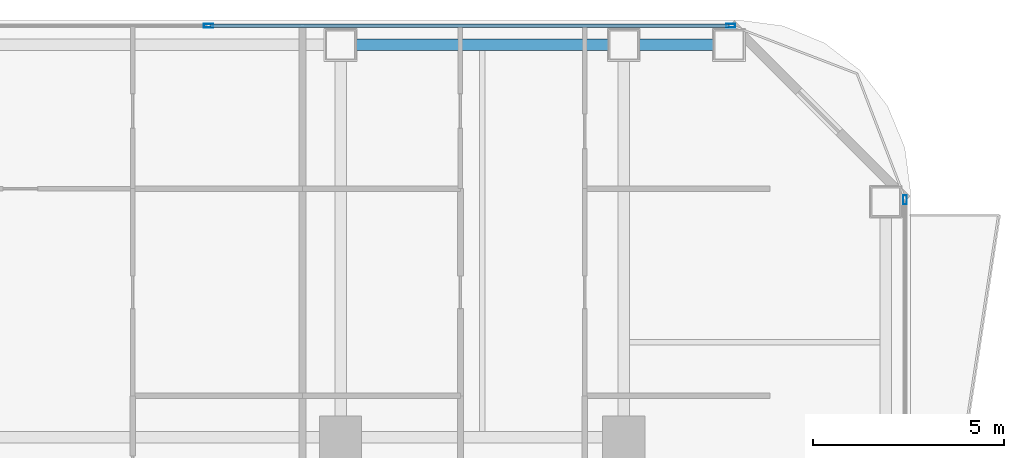
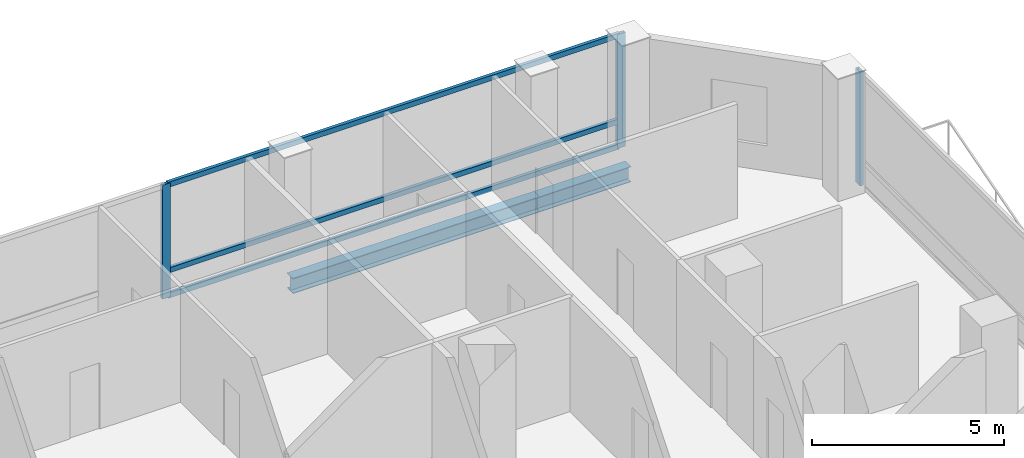
# One storey, part 17 of 28: 6 members, 2 beams, 2 elements without a shape of their own.
"""IFC4 building model written with IfcOpenShell, lengths in metres."""

from ifc_helpers import new_model, si_unit, direction, frame, origin, origin_2d, place, context, subcontext, project, spatial, hollow_rectangle, i_section, extrude, material, layer, layer_set, material_profile, profile_set, type_object, element, aggregate, save


model = new_model("IFC4")

# Units and contexts
model_context = context("Model", 3, precision=1e-05, world=origin(), true_north=direction((0.0, 1.0)))
body_context = subcontext(model_context, "Body", "Model", "MODEL_VIEW")
ifc_project = project(units=[si_unit("LENGTHUNIT", "METRE"), si_unit("AREAUNIT", "SQUARE_METRE"), si_unit("VOLUMEUNIT", "CUBIC_METRE"), si_unit("PLANEANGLEUNIT", "RADIAN"), si_unit("MASSUNIT", "GRAM", prefix="KILO")], contexts=[model_context])

# Site, building, storey
site_placement = place(None, origin())
site = spatial("IfcSite", under=ifc_project, at=site_placement, CompositionType="ELEMENT")
building_placement = place(site_placement, origin())
building = spatial("IfcBuilding", under=site, at=building_placement, Name="Khorvyn Point Tower", CompositionType="ELEMENT")
storey_placement = place(building_placement, frame((0.0, 0.0, 104.699951171875)))
storey = spatial("IfcBuildingStorey", under=building, at=storey_placement, Name="L26", CompositionType="ELEMENT", Elevation=104.699951171875)

# Curtain wall, members
ifc_material_1 = material(Name="Anodised aluminium 6063-T6 and laminated Low-E glass", Category="aluminium")
ifc_layer = layer(ifc_material_1, 0.18994140625)
ifc_layer_set = layer_set([ifc_layer], Name="Stick-Built Finned Residential Curtain Wall CW-SYS-02")
curtain_wall_type = type_object("IfcCurtainWallType", Name="Stick-Built Finned Residential Curtain Wall CW-SYS-02", PredefinedType="NOTDEFINED", material=ifc_layer_set)
curtain_wall_1_placement = place(storey_placement, origin())
curtain_wall_1 = element("IfcCurtainWall", 1, at=curtain_wall_1_placement, inside=storey, type_object=curtain_wall_type, Name="Curtain Wall", PredefinedType="NOTDEFINED")
ifc_material_2 = material(Name="Anodised aluminium 6063-T6", Category="aluminium")
ifc_material_profile_1 = material_profile(ifc_material_2, hollow_rectangle(XDim=0.10009765625, YDim=0.239990234375, WallThickness=0.0048828125, at=origin_2d()))
ifc_profile_set_1 = profile_set([ifc_material_profile_1], Name="Anodised aluminium 6063-T6 ALU-MUL-100x240")
member_type_1 = type_object("IfcMemberType", Name="Anodised Aluminium 6063-T6 Mullion ALU-MUL-100x240", PredefinedType="MULLION", material=ifc_profile_set_1)
member_1_placement = place(storey_placement, frame((3.949951171875, 30.85009765625, 0.0), z_axis=(0.0, 0.0, 1.0), x_axis=(0.0, 1.0, 0.0)))
member_1 = element("IfcMember", 2, at=member_1_placement, type_object=member_type_1, Name="Transom", PredefinedType="MULLION", context=body_context, shape_type="SweptSolid", body=[
    extrude(hollow_rectangle(XDim=0.10009765625, YDim=0.239990234375, WallThickness=0.0048828125, at=origin_2d()), origin(), (0.0, 0.0, 1.0), 3.6201171875),
])
member_2_placement = place(storey_placement, frame((17.60009765625, 30.85009765625, 0.0), z_axis=(0.0, 0.0, 1.0), x_axis=(0.0, 1.0, 0.0)))
member_2 = element("IfcMember", 3, at=member_2_placement, type_object=member_type_1, Name="Transom", PredefinedType="MULLION", context=body_context, shape_type="SweptSolid", body=[
    extrude(hollow_rectangle(XDim=0.10009765625, YDim=0.239990234375, WallThickness=0.0048828125, at=origin_2d()), origin(), (0.0, 0.0, 1.0), 3.6201171875),
])

# Curtain wall, member
curtain_wall_2_placement = place(storey_placement, origin())
curtain_wall_2 = element("IfcCurtainWall", 4, at=curtain_wall_2_placement, inside=storey, type_object=curtain_wall_type, Name="Curtain Wall", PredefinedType="NOTDEFINED")
member_3_placement = place(storey_placement, frame((22.14990234375, 26.300048828125, 0.0), z_axis=(0.0, 0.0, 1.0), x_axis=(1.0, 0.0, 0.0)))
member_3 = element("IfcMember", 5, at=member_3_placement, type_object=member_type_1, Name="Transom", PredefinedType="MULLION", context=body_context, shape_type="SweptSolid", body=[
    extrude(hollow_rectangle(XDim=0.10009765625, YDim=0.239990234375, WallThickness=0.0048828125, at=origin_2d()), origin(), (0.0, 0.0, 1.0), 3.6201171875),
])
aggregate(curtain_wall_2, [member_3])

# Member
ifc_material_profile_2 = material_profile(ifc_material_2, hollow_rectangle(XDim=0.10009765625, YDim=0.159912109375, WallThickness=0.00439453125, at=origin_2d()))
ifc_profile_set_2 = profile_set([ifc_material_profile_2], Name="Anodised aluminium 6063-T6 ALU-TRN-100x160")
member_type_2 = type_object("IfcMemberType", Name="Anodised Aluminium 6063-T6 Transom ALU-TRN-100x160", PredefinedType="USERDEFINED", material=ifc_profile_set_2)
member_4_placement = place(storey_placement, frame((4.0, 30.85009765625, 0.050048828125), z_axis=(1.0, 0.0, 0.0), x_axis=(0.0, 1.0, 0.0)))
member_4 = element("IfcMember", 6, at=member_4_placement, type_object=member_type_2, Name="Transom", ObjectType="TRANSOM", PredefinedType="USERDEFINED", context=body_context, shape_type="SweptSolid", body=[
    extrude(hollow_rectangle(XDim=0.10009765625, YDim=0.159912109375, WallThickness=0.00439453125, at=origin_2d()), origin(), (0.0, 0.0, 1.0), 13.550048828125),
])

member_5_placement = place(storey_placement, frame((4.0, 30.85009765625, 0.85009765625), z_axis=(1.0, 0.0, 0.0), x_axis=(0.0, 1.0, 0.0)))
member_5 = element("IfcMember", 7, at=member_5_placement, type_object=member_type_2, Name="Transom", ObjectType="TRANSOM", PredefinedType="USERDEFINED", context=body_context, shape_type="SweptSolid", body=[
    extrude(hollow_rectangle(XDim=0.10009765625, YDim=0.159912109375, WallThickness=0.00439453125, at=origin_2d()), origin(), (0.0, 0.0, 1.0), 13.550048828125),
])

member_6_placement = place(storey_placement, frame((4.0, 30.85009765625, 3.570068359375), z_axis=(1.0, 0.0, 0.0), x_axis=(0.0, 1.0, 0.0)))
member_6 = element("IfcMember", 8, at=member_6_placement, type_object=member_type_2, Name="Transom", ObjectType="TRANSOM", PredefinedType="USERDEFINED", context=body_context, shape_type="SweptSolid", body=[
    extrude(hollow_rectangle(XDim=0.10009765625, YDim=0.159912109375, WallThickness=0.00439453125, at=origin_2d()), origin(), (0.0, 0.0, 1.0), 13.550048828125),
])

aggregate(curtain_wall_1, [member_1, member_2, member_4, member_5, member_6])

# Beams
ifc_material_3 = material(Name="Steel S355", Category="steel")
ifc_material_profile_3 = material_profile(ifc_material_3, i_section(OverallWidth=0.300048828125, OverallDepth=0.488037109375, WebThickness=0.010986328125, FlangeThickness=0.01806640625, at=origin_2d()))
ifc_profile_set_3 = profile_set([ifc_material_profile_3], Name="Steel S355 H488x300x11x18")
beam_type = type_object("IfcBeamType", Name="Steel S355 Spandrel H488x300x11x18", PredefinedType="SPANDREL", material=ifc_profile_set_3)
beam_1_placement = place(storey_placement, frame((7.39990234375, 30.35009765625, -0.4638671875), z_axis=(1.0, 0.0, 0.0), x_axis=(0.0, 1.0, 0.0)))
element("IfcBeam", 9, at=beam_1_placement, inside=storey, type_object=beam_type, Name="Beam", PredefinedType="SPANDREL", context=body_context, shape_type="SweptSolid", body=[
    extrude(i_section(OverallWidth=0.300048828125, OverallDepth=0.488037109375, WebThickness=0.010986328125, FlangeThickness=0.01806640625, at=origin_2d()), origin(), (0.0, 0.0, 1.0), 7.400146484375),
])
beam_2_placement = place(storey_placement, frame((14.800048828125, 30.35009765625, -0.4638671875), z_axis=(1.0, 0.0, 0.0), x_axis=(0.0, 1.0, 0.0)))
element("IfcBeam", 10, at=beam_2_placement, inside=storey, type_object=beam_type, Name="Beam", PredefinedType="SPANDREL", context=body_context, shape_type="SweptSolid", body=[
    extrude(i_section(OverallWidth=0.300048828125, OverallDepth=0.488037109375, WebThickness=0.010986328125, FlangeThickness=0.01806640625, at=origin_2d()), origin(), (0.0, 0.0, 1.0), 2.75),
])

save(model, "model.ifc")
